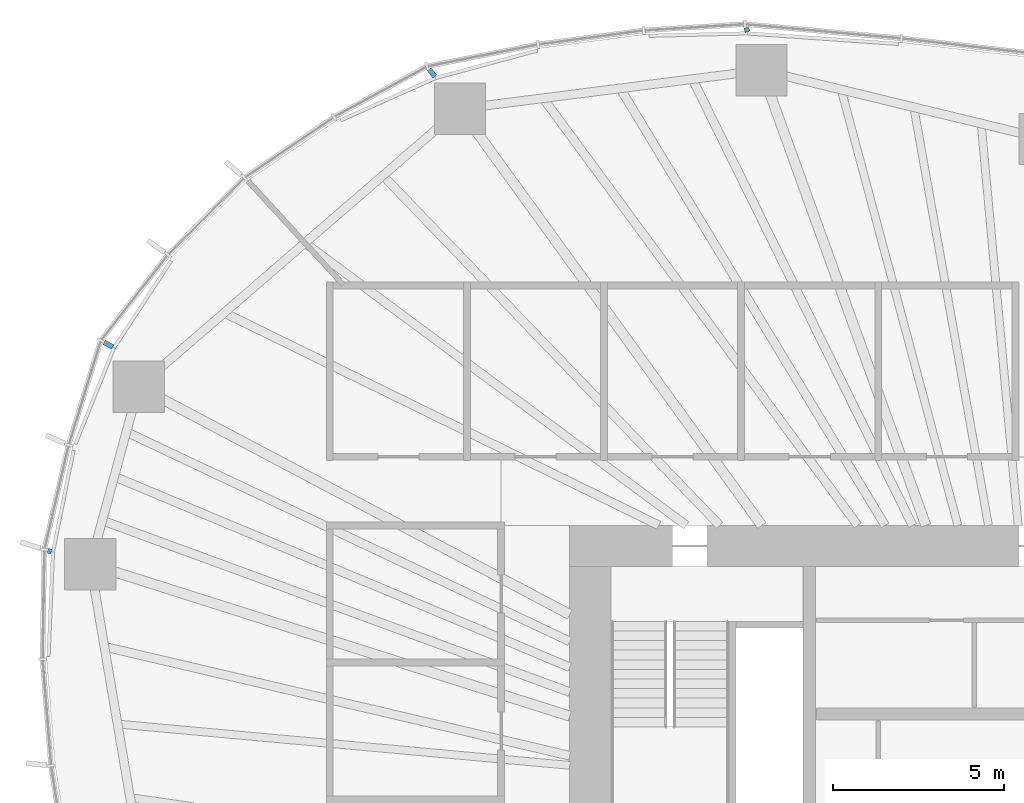
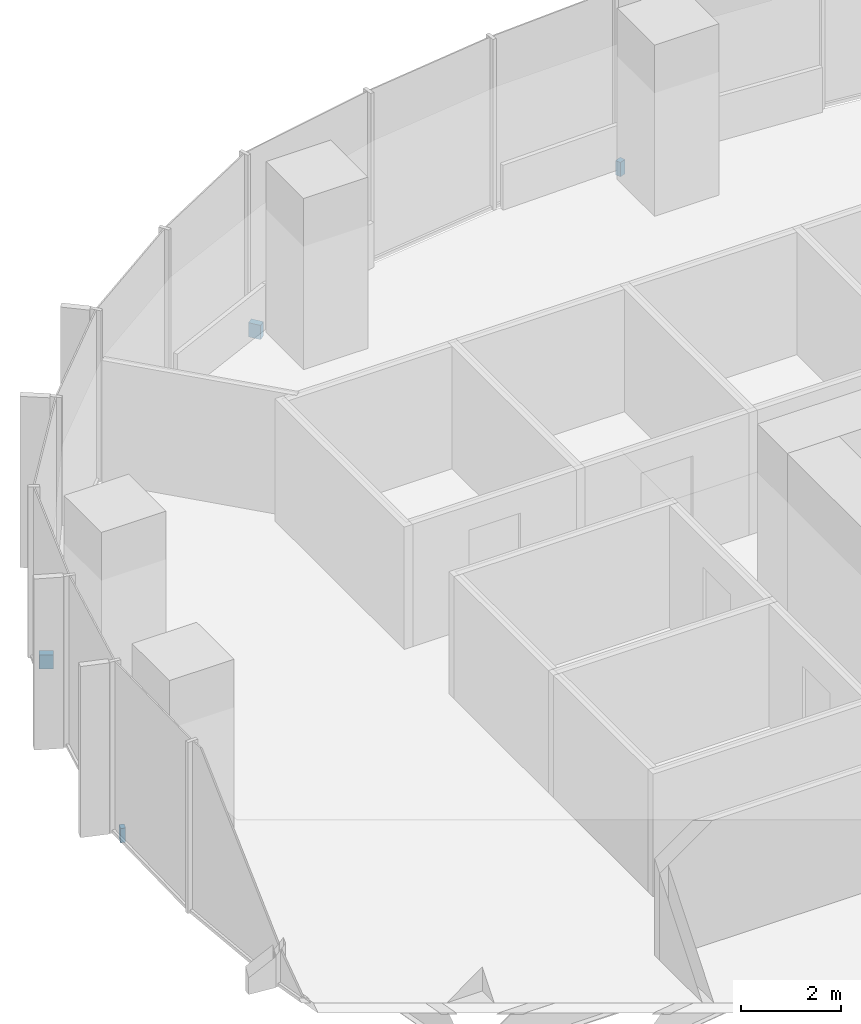
# One storey, part 15 of 18: 4 discrete accessories.
"""IFC4 building model written with IfcOpenShell, lengths in metres."""

from ifc_helpers import new_model, si_unit, direction, frame, origin, origin_2d, place, context, subcontext, project, spatial, rectangle, extrude, material, type_object, element, save


model = new_model("IFC4")

# Units and contexts
model_context = context("Model", 3, precision=1e-05, world=origin(), true_north=direction((0.0, 1.0)))
body_context = subcontext(model_context, "Body", "Model", "MODEL_VIEW")
ifc_project = project(units=[si_unit("LENGTHUNIT", "METRE"), si_unit("AREAUNIT", "SQUARE_METRE"), si_unit("VOLUMEUNIT", "CUBIC_METRE"), si_unit("PLANEANGLEUNIT", "RADIAN"), si_unit("MASSUNIT", "GRAM", prefix="KILO")], contexts=[model_context])

# Site, building, storey
site_placement = place(None, origin())
site = spatial("IfcSite", under=ifc_project, at=site_placement, CompositionType="ELEMENT")
building_placement = place(site_placement, origin())
building = spatial("IfcBuilding", under=site, at=building_placement, Name="Ghaith Harvest Tower", CompositionType="ELEMENT")
storey_placement = place(building_placement, frame((0.0, 0.0, 142.800048828125)))
storey = spatial("IfcBuildingStorey", under=building, at=storey_placement, Name="L30", CompositionType="ELEMENT", Elevation=142.800048828125)

# Discrete accessories
ifc_material_1 = material(Name="Stainless steel grade 1.4401", Category="steel")
discrete_accessory_type_1 = type_object("IfcDiscreteAccessoryType", Name="CURTAIN WALL BRACKET 105", PredefinedType="BRACKET", material=ifc_material_1)
discrete_accessory_1_placement = place(storey_placement, frame((-29.171875, 9.2451171875, -0.25), z_axis=(0.0, 0.0, 1.0), x_axis=(-0.953273219358, 0.302109531884, 0.0)))
element("IfcDiscreteAccessory", 1, at=discrete_accessory_1_placement, inside=storey, type_object=discrete_accessory_type_1, Name="CW-L bracket 1 bay 10 L30", PredefinedType="BRACKET", context=body_context, shape_type="SweptSolid", body=[
    extrude(rectangle(XDim=0.10498046875, YDim=0.14990234375, at=origin_2d()), origin(), (0.0, 0.0, 1.0), 0.35009765625),
])
ifc_material_2 = material(Name="Stainless steel grade 1.4401", Category="steel")
discrete_accessory_type_2 = type_object("IfcDiscreteAccessoryType", Name="CURTAIN WALL BRACKET 125", PredefinedType="BRACKET", material=ifc_material_2)
discrete_accessory_2_placement = place(storey_placement, frame((-8.833984375, 24.45849609375, -0.25), z_axis=(0.0, 0.0, 1.0), x_axis=(-0.339699453402, 0.94053404051, 0.0)))
element("IfcDiscreteAccessory", 2, at=discrete_accessory_2_placement, inside=storey, type_object=discrete_accessory_type_2, Name="CW-L bracket 1 bay 07 L30", PredefinedType="BRACKET", context=body_context, shape_type="SweptSolid", body=[
    extrude(rectangle(XDim=0.125, YDim=0.14990234375, at=origin_2d()), origin(), (0.0, 0.0, 1.0), 0.35009765625),
])
ifc_material_3 = material(Name="Stainless steel grade 1.4401", Category="steel")
discrete_accessory_type_3 = type_object("IfcDiscreteAccessoryType", Name="CURTAIN WALL BRACKET 265", PredefinedType="BRACKET", material=ifc_material_3)
discrete_accessory_3_placement = place(storey_placement, frame((-18.0166015625, 23.197998046875, -0.25), z_axis=(0.0, 0.0, 1.0), x_axis=(-0.613377714422, 0.78978970584, 0.0)))
element("IfcDiscreteAccessory", 3, at=discrete_accessory_3_placement, inside=storey, type_object=discrete_accessory_type_3, Name="CW-L bracket 1 bay 08 L30", PredefinedType="BRACKET", context=body_context, shape_type="SweptSolid", body=[
    extrude(rectangle(XDim=0.264892578125, YDim=0.14990234375, at=origin_2d()), origin(), (0.0, 0.0, 1.0), 0.35009765625),
])
ifc_material_4 = material(Name="Stainless steel grade 1.4401", Category="steel")
discrete_accessory_type_4 = type_object("IfcDiscreteAccessoryType", Name="CURTAIN WALL BRACKET 285", PredefinedType="BRACKET", material=ifc_material_4)
discrete_accessory_4_placement = place(storey_placement, frame((-27.45849609375, 15.271728515625, -0.25), z_axis=(0.0, 0.0, 1.0), x_axis=(-0.873926916005, 0.486057347935, 0.0)))
element("IfcDiscreteAccessory", 4, at=discrete_accessory_4_placement, inside=storey, type_object=discrete_accessory_type_4, Name="CW-L bracket 2 bay 09 L30", PredefinedType="BRACKET", context=body_context, shape_type="SweptSolid", body=[
    extrude(rectangle(XDim=0.284912109375, YDim=0.14990234375, at=origin_2d()), origin(), (0.0, 0.0, 1.0), 0.35009765625),
])

save(model, "model.ifc")
